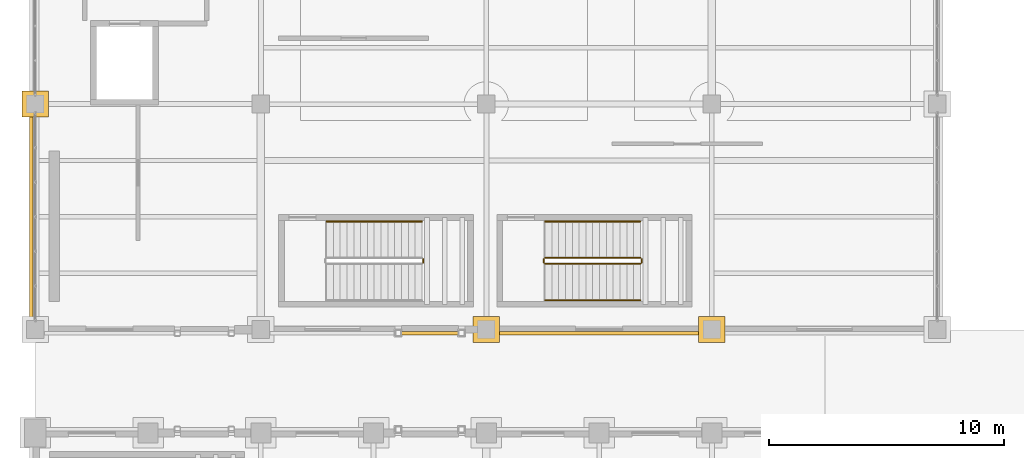
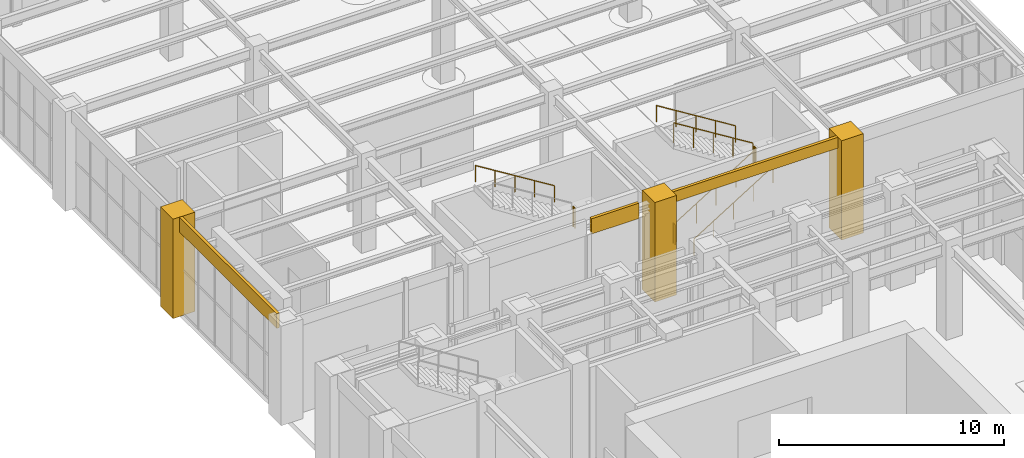
# One storey, part 155 of 164: 8 railings, 6 coverings.
"""IFC4 building model written with IfcOpenShell, lengths in metres."""

from ifc_helpers import new_model, si_unit, direction, frame, origin, origin_2d, place, context, subcontext, project, spatial, polyline, circle, outline, extrude, material, layer, layer_set, type_object, element, save


model = new_model("IFC4")

# Units and contexts
model_context = context("Model", 3, precision=1e-05, world=origin(), true_north=direction((0.0, 1.0)))
body_context = subcontext(model_context, "Body", "Model", "MODEL_VIEW")
ifc_project = project(units=[si_unit("LENGTHUNIT", "METRE"), si_unit("AREAUNIT", "SQUARE_METRE"), si_unit("VOLUMEUNIT", "CUBIC_METRE"), si_unit("PLANEANGLEUNIT", "RADIAN"), si_unit("MASSUNIT", "GRAM", prefix="KILO")], contexts=[model_context])

# Site, building, storey
site_placement = place(None, origin())
site = spatial("IfcSite", under=ifc_project, at=site_placement, CompositionType="ELEMENT")
building_placement = place(site_placement, origin())
building = spatial("IfcBuilding", under=site, at=building_placement, Name="Mavantir Sound Aquarium", CompositionType="ELEMENT")
storey_placement = place(building_placement, origin())
storey = spatial("IfcBuildingStorey", under=building, at=storey_placement, Name="L00", CompositionType="ELEMENT", Elevation=0.0)

# Coverings
ifc_material_1 = material(Name="Honed Coral-Limestone & Glazed Terracotta Rainscreen Cladding", Category="masonry")
ifc_layer = layer(ifc_material_1, 0.06005859375, Name="Honed Coral-Limestone & Glazed Terracotta Rainscreen Cladding")
ifc_layer_set = layer_set([ifc_layer], Name="Honed Coral-Limestone & Glazed Terracotta Rainscreen Cladding")
covering_type = type_object("IfcCoveringType", Name="COV-CLAD-TC", PredefinedType="CLADDING", material=ifc_layer_set)
covering_1_placement = place(storey_placement, frame((0.0, 0.0, 4.59912109375)))
element("IfcCovering", 1, at=covering_1_placement, inside=storey, type_object=covering_type, Name="L00 Postmodern coral-limestone spandrel frieze 116", PredefinedType="CLADDING", context=body_context, shape_type="SweptSolid", body=[
    extrude(outline(polyline([(-0.090087890625, 92.81689453125), (-0.090087890625, 83.98291015625), (-0.239990234375, 83.98291015625), (-0.239990234375, 92.81689453125), (-0.090087890625, 92.81689453125)])), origin(), (0.0, 0.0, 1.0), 0.80078125),
])
covering_2_placement = place(storey_placement, frame((0.0, 0.0, 4.571044921875)))
element("IfcCovering", 2, at=covering_2_placement, inside=storey, type_object=covering_type, Name="L00 Postmodern coral-limestone spandrel frieze 120", PredefinedType="CLADDING", context=body_context, shape_type="SweptSolid", body=[
    extrude(outline(polyline([(15.5830078125, 83.510009765625), (18.01708984375, 83.510009765625), (18.01708984375, 83.360107421875), (15.5830078125, 83.360107421875), (15.5830078125, 83.510009765625)])), origin(), (0.0, 0.0, 1.0), 0.828857421875),
])
covering_3_placement = place(storey_placement, frame((0.0, 0.0, 4.81298828125)))
element("IfcCovering", 3, at=covering_3_placement, inside=storey, type_object=covering_type, Name="L00 Postmodern coral-limestone spandrel frieze 121", PredefinedType="CLADDING", context=body_context, shape_type="SweptSolid", body=[
    extrude(outline(polyline([(19.5830078125, 83.510009765625), (28.4169921875, 83.510009765625), (28.4169921875, 83.360107421875), (19.5830078125, 83.360107421875), (19.5830078125, 83.510009765625)])), origin(), (0.0, 0.0, 1.0), 0.5869140625),
])
covering_4_placement = place(storey_placement, origin())
element("IfcCovering", 4, at=covering_4_placement, inside=storey, type_object=covering_type, Name="L00 Postmodern coral-limestone pilaster casing 349", PredefinedType="CLADDING", context=body_context, shape_type="SweptSolid", body=[
    extrude(outline(polyline([(-0.56005859375, 92.639892578125), (0.56005859375, 92.639892578125), (0.56005859375, 93.760009765625), (-0.56005859375, 93.760009765625), (-0.56005859375, 92.639892578125)])), origin(), (0.0, 0.0, 1.0), 5.39990234375),
])
covering_5_placement = place(storey_placement, origin())
element("IfcCovering", 5, at=covering_5_placement, inside=storey, type_object=covering_type, Name="L00 Postmodern coral-limestone pilaster casing 378", PredefinedType="CLADDING", context=body_context, shape_type="SweptSolid", body=[
    extrude(outline(polyline([(18.639892578125, 83.0400390625), (19.760009765625, 83.0400390625), (19.760009765625, 84.159912109375), (18.639892578125, 84.159912109375), (18.639892578125, 83.0400390625)])), origin(), (0.0, 0.0, 1.0), 5.39990234375),
])
covering_6_placement = place(storey_placement, origin())
element("IfcCovering", 6, at=covering_6_placement, inside=storey, type_object=covering_type, Name="L00 Postmodern coral-limestone pilaster casing 390", PredefinedType="CLADDING", context=body_context, shape_type="SweptSolid", body=[
    extrude(outline(polyline([(28.239990234375, 83.0400390625), (29.360107421875, 83.0400390625), (29.360107421875, 84.159912109375), (28.239990234375, 84.159912109375), (28.239990234375, 83.0400390625)])), origin(), (0.0, 0.0, 1.0), 5.39990234375),
])

# Railings
ifc_material_2 = material(Name="Stainless Steel 316 and Laminated Glass Guardrail", Category="steel")
railing_type_1 = type_object("IfcRailingType", Name="RL-GUARD-110", PredefinedType="GUARDRAIL", material=ifc_material_2)
railing_1_placement = place(storey_placement, frame((16.510009765625, 86.449951171875, 2.699951171875)))
element("IfcRailing", 7, at=railing_1_placement, inside=storey, type_object=railing_type_1, Name="L00 ST5 stair guard 2", PredefinedType="GUARDRAIL", context=body_context, shape_type="SweptSolid", body=[
    extrude(circle(Radius=0.02392578125, at=origin_2d()), frame((0.0, 0.0, 1.076171875), z_axis=(0.0, 1.0, 0.0), x_axis=(-1.0, 0.0, 0.0)), (0.0, 0.0, 1.0), 0.150146484375),
    extrude(circle(Radius=0.02099609375, at=origin_2d()), origin(), (0.0, 0.0, 1.0), 1.052001953125),
    extrude(circle(Radius=0.02099609375, at=origin_2d()), frame((0.0, 0.150146484375, 0.0)), (0.0, 0.0, 1.0), 1.052001953125),
])
railing_2_placement = place(storey_placement, frame((21.699951171875, 86.39990234375, 0.179931640625)))
element("IfcRailing", 8, at=railing_2_placement, inside=storey, type_object=railing_type_1, Name="L00 ST7 stair guard 1", PredefinedType="GUARDRAIL", context=body_context, shape_type="SweptSolid", body=[
    extrude(circle(Radius=0.02392578125, at=origin_2d()), frame((0.0, 0.0, 1.076171875), z_axis=(0.849641744969, 0.0, 0.527360318194), x_axis=(0.0, 1.0, 0.0)), (0.0, 0.0, 1.0), 4.778564453125),
    extrude(circle(Radius=0.02099609375, at=origin_2d()), origin(), (0.0, 0.0, 1.0), 1.052001953125),
    extrude(circle(Radius=0.02099609375, at=origin_2d()), frame((1.01513671875, 0.0, 0.6298828125)), (0.0, 0.0, 1.0), 1.052001953125),
    extrude(circle(Radius=0.02099609375, at=origin_2d()), frame((2.030029296875, 0.0, 1.260009765625)), (0.0, 0.0, 1.0), 1.052001953125),
    extrude(circle(Radius=0.02099609375, at=origin_2d()), frame((3.044921875, 0.0, 1.89013671875)), (0.0, 0.0, 1.0), 1.052001953125),
    extrude(circle(Radius=0.02099609375, at=origin_2d()), frame((4.06005859375, 0.0, 2.52001953125)), (0.0, 0.0, 1.0), 1.052001953125),
])
railing_3_placement = place(storey_placement, frame((25.81005859375, 86.449951171875, 2.699951171875)))
element("IfcRailing", 9, at=railing_3_placement, inside=storey, type_object=railing_type_1, Name="L00 ST7 stair guard 2", PredefinedType="GUARDRAIL", context=body_context, shape_type="SweptSolid", body=[
    extrude(circle(Radius=0.02392578125, at=origin_2d()), frame((0.0, 0.0, 1.076171875), z_axis=(0.0, 1.0, 0.0), x_axis=(-1.0, 0.0, 0.0)), (0.0, 0.0, 1.0), 0.150146484375),
    extrude(circle(Radius=0.02099609375, at=origin_2d()), origin(), (0.0, 0.0, 1.0), 1.052001953125),
    extrude(circle(Radius=0.02099609375, at=origin_2d()), frame((0.0, 0.150146484375, 0.0)), (0.0, 0.0, 1.0), 1.052001953125),
])
railing_4_placement = place(storey_placement, frame((25.760009765625, 86.64990234375, 2.8798828125)))
element("IfcRailing", 10, at=railing_4_placement, inside=storey, type_object=railing_type_1, Name="L00 ST7 stair guard 3", PredefinedType="GUARDRAIL", context=body_context, shape_type="SweptSolid", body=[
    extrude(circle(Radius=0.02392578125, at=origin_2d()), frame((0.0, 0.0, 1.076171875), z_axis=(-0.849641744969, 0.0, 0.527360318194), x_axis=(0.0, -1.0, 0.0)), (0.0, 0.0, 1.0), 4.778564453125),
    extrude(circle(Radius=0.02099609375, at=origin_2d()), origin(), (0.0, 0.0, 1.0), 1.052001953125),
    extrude(circle(Radius=0.02099609375, at=origin_2d()), frame((-1.01513671875, 0.0, 0.6298828125)), (0.0, 0.0, 1.0), 1.052001953125),
    extrude(circle(Radius=0.02099609375, at=origin_2d()), frame((-2.030029296875, 0.0, 1.260009765625)), (0.0, 0.0, 1.0), 1.052001953125),
    extrude(circle(Radius=0.02099609375, at=origin_2d()), frame((-3.044921875, 0.0, 1.89013671875)), (0.0, 0.0, 1.0), 1.052001953125),
    extrude(circle(Radius=0.02099609375, at=origin_2d()), frame((-4.06005859375, 0.0, 2.52001953125)), (0.0, 0.0, 1.0), 1.052001953125),
])
railing_5_placement = place(storey_placement, frame((21.64990234375, 86.449951171875, 0.0)))
element("IfcRailing", 11, at=railing_5_placement, inside=storey, type_object=railing_type_1, Name="L00 ST7 stair guard 4", PredefinedType="GUARDRAIL", context=body_context, shape_type="SweptSolid", body=[
    extrude(circle(Radius=0.02392578125, at=origin_2d()), frame((0.0, 0.0, 1.076171875), z_axis=(0.0, 1.0, 0.0), x_axis=(-1.0, 0.0, 0.0)), (0.0, 0.0, 1.0), 0.150146484375),
    extrude(circle(Radius=0.02099609375, at=origin_2d()), origin(), (0.0, 0.0, 1.0), 1.052001953125),
    extrude(circle(Radius=0.02099609375, at=origin_2d()), frame((0.0, 0.150146484375, 0.0)), (0.0, 0.0, 1.0), 1.052001953125),
])
ifc_material_3 = material(Name="Brushed Stainless Steel 316 Handrail", Category="steel")
railing_type_2 = type_object("IfcRailingType", Name="RL-HR-90", PredefinedType="HANDRAIL", material=ifc_material_3)
railing_6_placement = place(storey_placement, frame((16.4599609375, 88.199951171875, 3.06494140625)))
element("IfcRailing", 12, at=railing_6_placement, inside=storey, type_object=railing_type_2, Name="L00 ST5 stair handrail 2", PredefinedType="HANDRAIL", context=body_context, shape_type="SweptSolid", body=[
    extrude(circle(Radius=0.02392578125, at=origin_2d()), frame((0.0, 0.0, 0.89111328125), z_axis=(-0.849641744969, 0.0, 0.527360318194), x_axis=(0.0, -1.0, 0.0)), (0.0, 0.0, 1.0), 4.778564453125),
    extrude(circle(Radius=0.02099609375, at=origin_2d()), origin(), (0.0, 0.0, 1.0), 0.866943359375),
    extrude(circle(Radius=0.02099609375, at=origin_2d()), frame((-1.01513671875, 0.0, 0.6298828125)), (0.0, 0.0, 1.0), 0.866943359375),
    extrude(circle(Radius=0.02099609375, at=origin_2d()), frame((-2.030029296875, 0.0, 1.260009765625)), (0.0, 0.0, 1.0), 0.866943359375),
    extrude(circle(Radius=0.02099609375, at=origin_2d()), frame((-3.044921875, 0.0, 1.89013671875)), (0.0, 0.0, 1.0), 0.866943359375),
    extrude(circle(Radius=0.02099609375, at=origin_2d()), frame((-4.06005859375, 0.0, 2.52001953125)), (0.0, 0.0, 1.0), 0.866943359375),
])
railing_7_placement = place(storey_placement, frame((21.699951171875, 84.85009765625, 0.364990234375)))
element("IfcRailing", 13, at=railing_7_placement, inside=storey, type_object=railing_type_2, Name="L00 ST7 stair handrail 1", PredefinedType="HANDRAIL", context=body_context, shape_type="SweptSolid", body=[
    extrude(circle(Radius=0.02392578125, at=origin_2d()), frame((0.0, 0.0, 0.89111328125), z_axis=(0.849641744969, 0.0, 0.527360318194), x_axis=(0.0, 1.0, 0.0)), (0.0, 0.0, 1.0), 4.778564453125),
    extrude(circle(Radius=0.02099609375, at=origin_2d()), origin(), (0.0, 0.0, 1.0), 0.866943359375),
    extrude(circle(Radius=0.02099609375, at=origin_2d()), frame((1.01513671875, 0.0, 0.6298828125)), (0.0, 0.0, 1.0), 0.866943359375),
    extrude(circle(Radius=0.02099609375, at=origin_2d()), frame((2.030029296875, 0.0, 1.260009765625)), (0.0, 0.0, 1.0), 0.866943359375),
    extrude(circle(Radius=0.02099609375, at=origin_2d()), frame((3.044921875, 0.0, 1.89013671875)), (0.0, 0.0, 1.0), 0.866943359375),
    extrude(circle(Radius=0.02099609375, at=origin_2d()), frame((4.06005859375, 0.0, 2.52001953125)), (0.0, 0.0, 1.0), 0.866943359375),
])
railing_8_placement = place(storey_placement, frame((25.760009765625, 88.199951171875, 3.06494140625)))
element("IfcRailing", 14, at=railing_8_placement, inside=storey, type_object=railing_type_2, Name="L00 ST7 stair handrail 2", PredefinedType="HANDRAIL", context=body_context, shape_type="SweptSolid", body=[
    extrude(circle(Radius=0.02392578125, at=origin_2d()), frame((0.0, 0.0, 0.89111328125), z_axis=(-0.849641744969, 0.0, 0.527360318194), x_axis=(0.0, -1.0, 0.0)), (0.0, 0.0, 1.0), 4.778564453125),
    extrude(circle(Radius=0.02099609375, at=origin_2d()), origin(), (0.0, 0.0, 1.0), 0.866943359375),
    extrude(circle(Radius=0.02099609375, at=origin_2d()), frame((-1.01513671875, 0.0, 0.6298828125)), (0.0, 0.0, 1.0), 0.866943359375),
    extrude(circle(Radius=0.02099609375, at=origin_2d()), frame((-2.030029296875, 0.0, 1.260009765625)), (0.0, 0.0, 1.0), 0.866943359375),
    extrude(circle(Radius=0.02099609375, at=origin_2d()), frame((-3.044921875, 0.0, 1.89013671875)), (0.0, 0.0, 1.0), 0.866943359375),
    extrude(circle(Radius=0.02099609375, at=origin_2d()), frame((-4.06005859375, 0.0, 2.52001953125)), (0.0, 0.0, 1.0), 0.866943359375),
])

save(model, "model.ifc")
